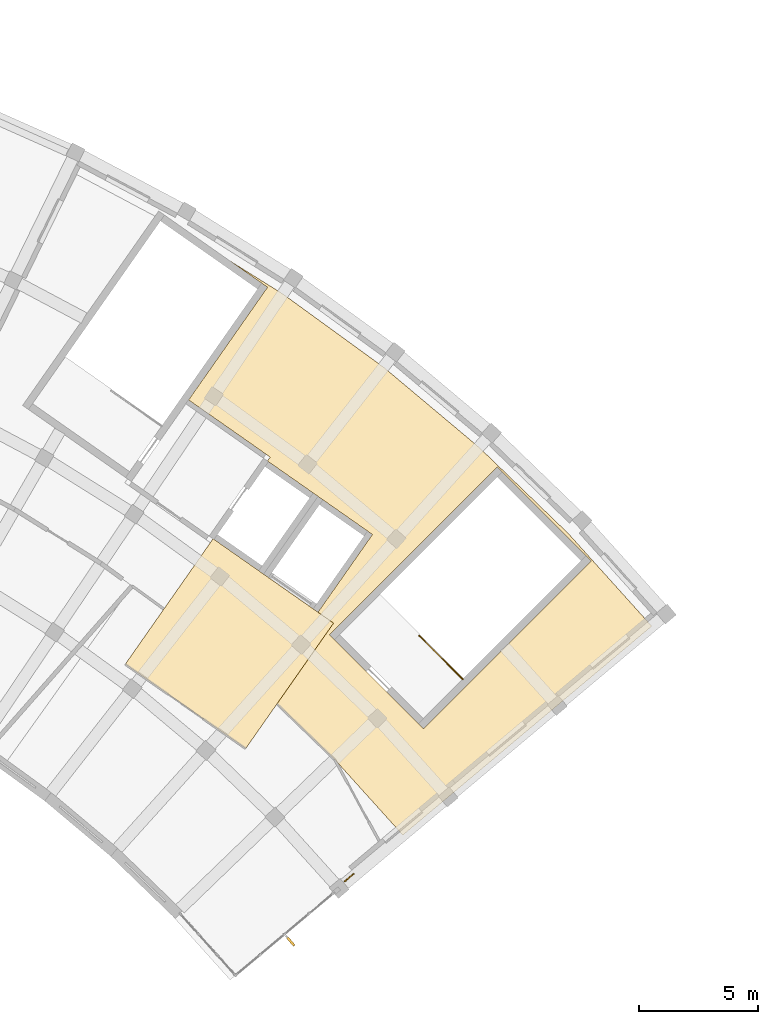
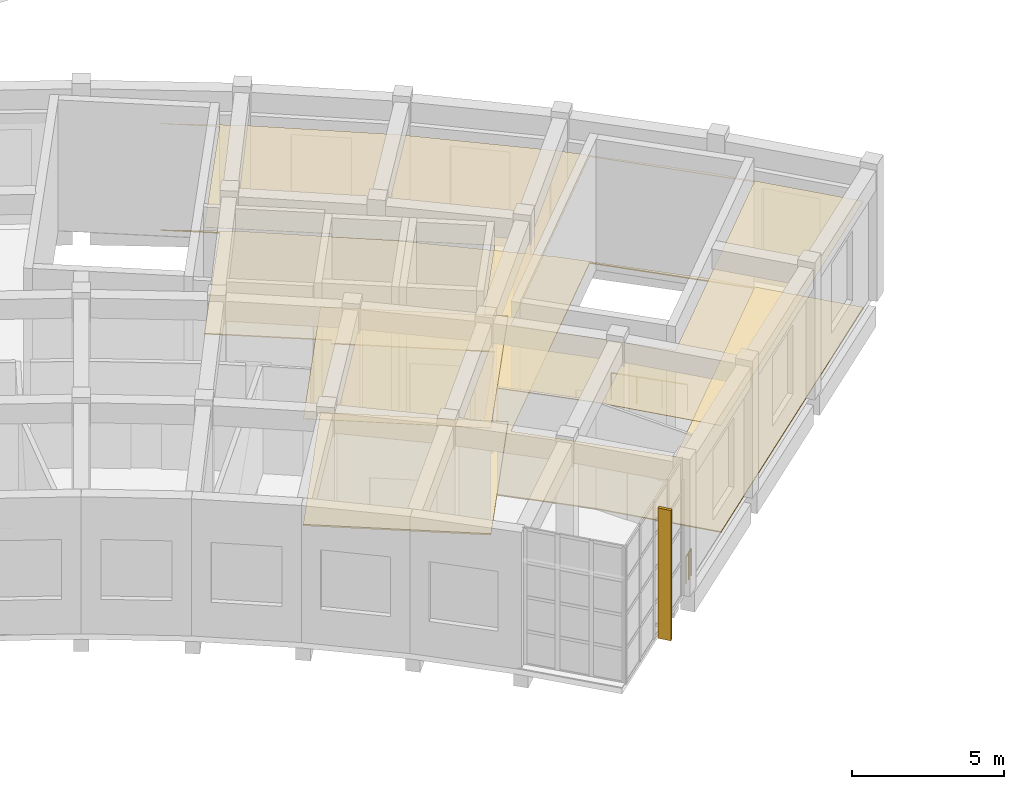
# One storey, part 92 of 94: 4 coverings, 2 railings, 1 shading device.
"""IFC4 building model written with IfcOpenShell, lengths in metres."""

from ifc_helpers import new_model, si_unit, direction, frame, origin, origin_2d, place, context, subcontext, project, spatial, polyline, rectangle, circle, outline, extrude, material, layer, layer_set, type_object, element, save


model = new_model("IFC4")

# Units and contexts
model_context = context("Model", 3, precision=1e-05, world=origin(), true_north=direction((0.0, 1.0)))
body_context = subcontext(model_context, "Body", "Model", "MODEL_VIEW")
ifc_project = project(units=[si_unit("LENGTHUNIT", "METRE"), si_unit("AREAUNIT", "SQUARE_METRE"), si_unit("VOLUMEUNIT", "CUBIC_METRE"), si_unit("PLANEANGLEUNIT", "RADIAN"), si_unit("MASSUNIT", "GRAM", prefix="KILO")], contexts=[model_context])

# Site, building, storey
site_placement = place(None, origin())
site = spatial("IfcSite", under=ifc_project, at=site_placement, CompositionType="ELEMENT")
building_placement = place(site_placement, origin())
building = spatial("IfcBuilding", under=site, at=building_placement, Name="Lunette Opera House", CompositionType="ELEMENT")
storey_placement = place(building_placement, frame((0.0, 0.0, 22.5)))
storey = spatial("IfcBuildingStorey", under=building, at=storey_placement, Name="L04", CompositionType="ELEMENT", Elevation=22.5)

# Railing
ifc_material_1 = material(Name="Steel S355", Category="steel")
railing_type_1 = type_object("IfcRailingType", Name="DECK GUARD 1100", PredefinedType="GUARDRAIL", material=ifc_material_1)
railing_1_placement = place(storey_placement, frame((140.659912109375, 37.5791015625, 0.0)))
element("IfcRailing", 1, at=railing_1_placement, inside=storey, type_object=railing_type_1, Name="Deck guard 030", PredefinedType="GUARDRAIL", context=body_context, shape_type="SweptSolid", body=[
    extrude(circle(Radius=0.02392578125, at=origin_2d()), frame((0.0, 0.0, 1.076171875), z_axis=(0.767567213213, 0.64096846506, 0.0), x_axis=(-0.64096846506, 0.767567213213, 0.0)), (0.0, 0.0, 1.0), 0.244873046875),
    extrude(circle(Radius=0.02392578125, at=origin_2d()), frame((0.18798828125, 0.156982421875, 1.076171875), z_axis=(0.765606918818, 0.643308670747, 0.0), x_axis=(-0.643308670747, 0.765606918818, 0.0)), (0.0, 0.0, 1.0), 0.24560546875),
    extrude(circle(Radius=0.02099609375, at=origin_2d()), origin(), (0.0, 0.0, 1.0), 1.052001953125),
    extrude(circle(Radius=0.02099609375, at=origin_2d()), frame((0.18798828125, 0.156982421875, 0.0)), (0.0, 0.0, 1.0), 1.052001953125),
    extrude(circle(Radius=0.02099609375, at=origin_2d()), frame((0.3759765625, 0.31494140625, 0.0)), (0.0, 0.0, 1.0), 1.052001953125),
])

# Shading device
ifc_material_2 = material(Name="Powder-coated aluminium", Category="aluminium")
shading_device_type = type_object("IfcShadingDeviceType", Name="SOLAR FIN 100 X 450", PredefinedType="USERDEFINED", material=ifc_material_2)
shading_device_placement = place(storey_placement, frame((138.39208984375, 35.04296875, 0.115234375), z_axis=(0.0, 0.0, 1.0), x_axis=(0.642839751189, -0.76600068818, 0.0)))
element("IfcShadingDevice", 2, at=shading_device_placement, inside=storey, type_object=shading_device_type, Name="Solar fin FC-X2180 2", ObjectType="SOLAR FIN", PredefinedType="USERDEFINED", context=body_context, shape_type="SweptSolid", body=[
    extrude(rectangle(XDim=0.449951171875, YDim=0.10009765625, at=origin_2d()), origin(), (0.0, 0.0, 1.0), 5.235107421875),
])

# Railing
ifc_material_3 = material(Name="Steel S355", Category="steel")
railing_type_2 = type_object("IfcRailingType", Name="STAIR GUARD 1100", PredefinedType="GUARDRAIL", material=ifc_material_3)
railing_2_placement = place(storey_placement, frame((145.638671875, 46.10302734375, 0.0)))
element("IfcRailing", 3, at=railing_2_placement, inside=storey, type_object=railing_type_2, Name="L04 ST4 top well guard 1", PredefinedType="GUARDRAIL", context=body_context, shape_type="SweptSolid", body=[
    extrude(circle(Radius=0.02392578125, at=origin_2d()), frame((0.0, 0.0, 1.076171875), z_axis=(-0.707106781187, 0.707106781187, 0.0), x_axis=(-0.707106781187, -0.707106781187, 0.0)), (0.0, 0.0, 1.0), 2.60009765625),
    extrude(circle(Radius=0.02099609375, at=origin_2d()), origin(), (0.0, 0.0, 1.0), 1.052001953125),
    extrude(circle(Radius=0.02099609375, at=origin_2d()), frame((-0.61279296875, 0.61279296875, 0.0)), (0.0, 0.0, 1.0), 1.052001953125),
    extrude(circle(Radius=0.02099609375, at=origin_2d()), frame((-1.225830078125, 1.225830078125, 0.0)), (0.0, 0.0, 1.0), 1.052001953125),
    extrude(circle(Radius=0.02099609375, at=origin_2d()), frame((-1.838623046875, 1.838623046875, 0.0)), (0.0, 0.0, 1.0), 1.052001953125),
])

# Coverings
ifc_material_4 = material(Name="Mineral fibre board")
ifc_layer_1 = layer(ifc_material_4, 0.014892578125)
ifc_layer_set_1 = layer_set([ifc_layer_1], Name="Mineral fibre board")
covering_type_1 = type_object("IfcCoveringType", Name="SUSPENDED ACOUSTIC CEILING 15", PredefinedType="CEILING", material=ifc_layer_set_1)
covering_1_placement = place(storey_placement, frame((0.0, 0.0, 4.284912109375)))
element("IfcCovering", 4, at=covering_1_placement, inside=storey, type_object=covering_type_1, Name="Ceiling Open Lift Lobby L04 East", PredefinedType="CEILING", context=body_context, shape_type="SweptSolid", body=[
    extrude(outline(polyline([(131.4140625, 46.739990234375), (136.491943359375, 43.18408203125), (140.19189453125, 48.468017578125), (135.113037109375, 52.02392578125), (131.4140625, 46.739990234375)])), origin(), (0.0, 0.0, 1.0), 0.01513671875),
])
covering_2_placement = place(storey_placement, frame((0.0, 0.0, 4.284912109375)))
element("IfcCovering", 5, at=covering_2_placement, inside=storey, type_object=covering_type_1, Name="Ceiling Restaurant Rear", PredefinedType="CEILING", context=body_context, shape_type="SweptSolid", body=[
    extrude(outline(polyline([(141.8310546875, 52.202880859375), (139.537109375, 53.80908203125), (137.407958984375, 55.300048828125), (137.52294921875, 55.464111328125), (134.08203125, 57.8740234375), (137.408935546875, 62.625), (135.81396484375, 63.741943359375), (138.051025390625, 62.343994140625), (142.298095703125, 59.258056640625), (146.319091796875, 55.884033203125), (150.093994140625, 52.238037109375), (153.60595703125, 48.337890625), (145.027099609375, 41.137939453125), (143.112060546875, 39.531005859375), (140.239013671875, 42.720947265625), (137.81103515625, 45.06689453125), (140.19189453125, 48.468017578125), (139.537109375, 48.927001953125), (141.8310546875, 52.202880859375)]), holes=[polyline([(143.97705078125, 44.01708984375), (151.048095703125, 51.087890625), (147.087890625, 55.048095703125), (140.01708984375, 47.97705078125), (143.97705078125, 44.01708984375)])]), origin(), (0.0, 0.0, 1.0), 0.01513671875),
])
ifc_material_5 = material(Name="Terrazzo")
ifc_layer_2 = layer(ifc_material_5, 0.06005859375)
ifc_layer_set_2 = layer_set([ifc_layer_2], Name="Terrazzo")
covering_type_2 = type_object("IfcCoveringType", Name="TERRAZZO FLOOR FINISH 60", PredefinedType="FLOORING", material=ifc_layer_set_2)
covering_3_placement = place(storey_placement, origin())
element("IfcCovering", 6, at=covering_3_placement, inside=storey, type_object=covering_type_2, Name="Floor finish Open Lift Lobby L04 East", PredefinedType="FLOORING", context=body_context, shape_type="SweptSolid", body=[
    extrude(outline(polyline([(131.4140625, 46.739990234375), (136.491943359375, 43.18408203125), (140.19189453125, 48.468017578125), (135.113037109375, 52.02392578125), (131.4140625, 46.739990234375)])), origin(), (0.0, 0.0, 1.0), 0.06005859375),
])
ifc_material_6 = material(Name="Timber", Category="wood")
ifc_layer_3 = layer(ifc_material_6, 0.0400390625)
ifc_layer_set_3 = layer_set([ifc_layer_3], Name="Timber")
covering_type_3 = type_object("IfcCoveringType", Name="TIMBER FLOOR FINISH 40", PredefinedType="FLOORING", material=ifc_layer_set_3)
covering_4_placement = place(storey_placement, origin())
element("IfcCovering", 7, at=covering_4_placement, inside=storey, type_object=covering_type_3, Name="Floor finish Restaurant Rear", PredefinedType="FLOORING", context=body_context, shape_type="SweptSolid", body=[
    extrude(outline(polyline([(141.8310546875, 52.202880859375), (139.537109375, 53.80908203125), (137.407958984375, 55.300048828125), (137.52294921875, 55.464111328125), (134.08203125, 57.8740234375), (137.408935546875, 62.625), (135.81396484375, 63.741943359375), (138.051025390625, 62.343994140625), (142.298095703125, 59.258056640625), (146.319091796875, 55.884033203125), (150.093994140625, 52.238037109375), (153.60595703125, 48.337890625), (145.027099609375, 41.137939453125), (143.112060546875, 39.531005859375), (140.239013671875, 42.720947265625), (137.81103515625, 45.06689453125), (140.19189453125, 48.468017578125), (139.537109375, 48.927001953125), (141.8310546875, 52.202880859375)]), holes=[polyline([(143.97705078125, 44.01708984375), (151.048095703125, 51.087890625), (147.087890625, 55.048095703125), (140.01708984375, 47.97705078125), (143.97705078125, 44.01708984375)])]), origin(), (0.0, 0.0, 1.0), 0.0400390625),
])

save(model, "model.ifc")
